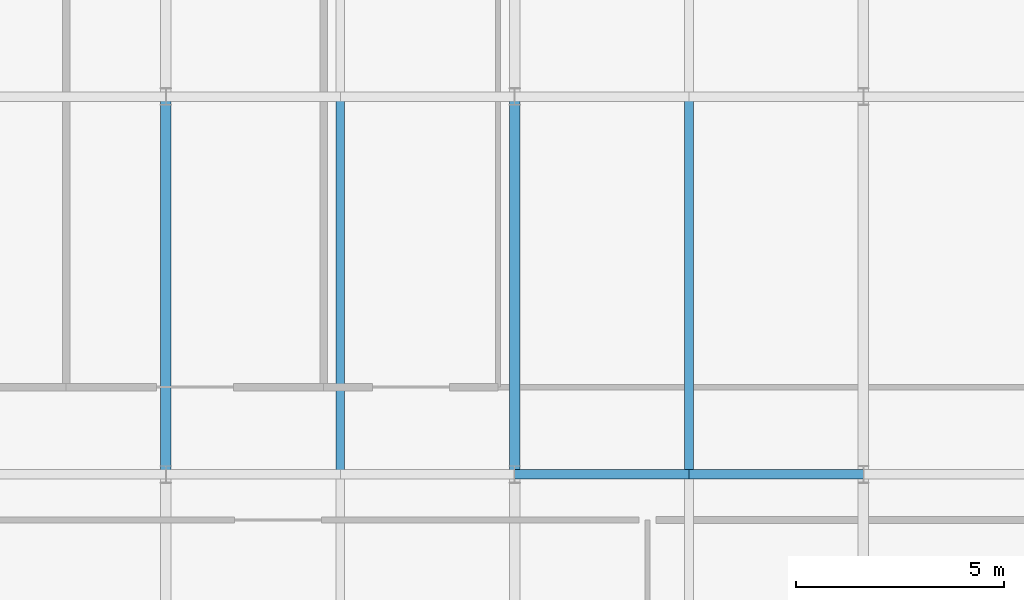
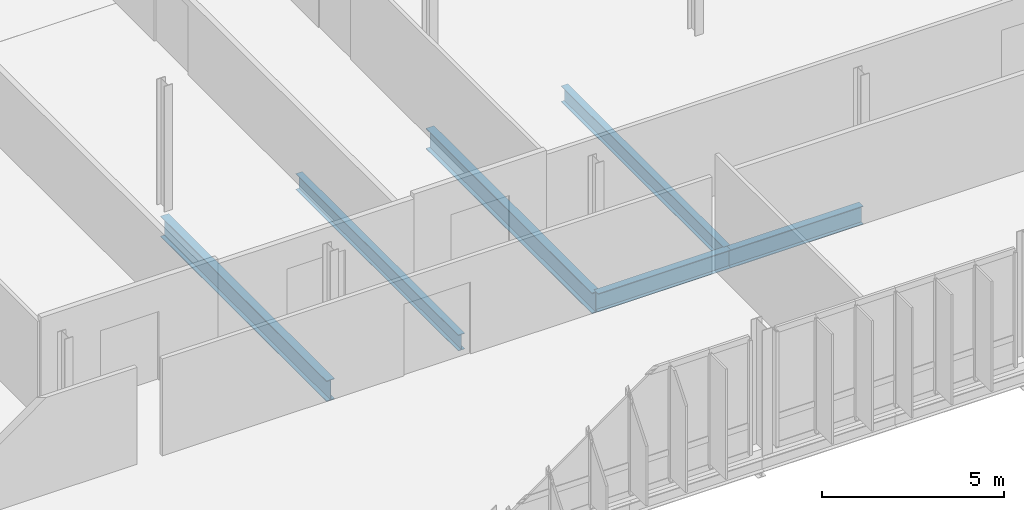
# One storey, part 36 of 107: 6 beams.
"""IFC4 building model written with IfcOpenShell, lengths in metres."""

from ifc_helpers import new_model, si_unit, derived_unit, direction, frame, origin, origin_2d, place, context, subcontext, project, spatial, i_section, extrude, material, material_profile, profile_set, type_object, element, save


model = new_model("IFC4")

# Units and contexts
model_context = context("Model", 3, precision=1e-05, world=origin(), true_north=direction((0.0, 1.0)))
body_context = subcontext(model_context, "Body", "Model", "MODEL_VIEW")
ifc_project = project(units=[si_unit("LENGTHUNIT", "METRE"), si_unit("AREAUNIT", "SQUARE_METRE"), si_unit("VOLUMEUNIT", "CUBIC_METRE"), si_unit("PLANEANGLEUNIT", "RADIAN"), si_unit("MASSUNIT", "GRAM", prefix="KILO"), derived_unit("THERMALTRANSMITTANCEUNIT", [(si_unit("MASSUNIT", "GRAM", prefix="KILO"), 1), (si_unit("TIMEUNIT", "SECOND"), -3), (si_unit("THERMODYNAMICTEMPERATUREUNIT", "KELVIN"), -1)])], contexts=[model_context])

# Site, building, storey
site_placement = place(None, origin())
site = spatial("IfcSite", under=ifc_project, at=site_placement, CompositionType="ELEMENT")
building_placement = place(site_placement, origin())
building = spatial("IfcBuilding", under=site, at=building_placement, Name="Makaiwela Harbour Ferry Terminal", CompositionType="ELEMENT")
storey_placement = place(building_placement, frame((0.0, 0.0, 9.60009765625)))
storey = spatial("IfcBuildingStorey", under=building, at=storey_placement, Name="L02", CompositionType="ELEMENT", Elevation=9.60009765625)

# Beams
ifc_material = material(Name="Steel ASTM A992 Grade 50", Category="steel")
ifc_material_profile_1 = material_profile(ifc_material, i_section(OverallWidth=0.2099609375, OverallDepth=0.537109375, WebThickness=0.010986328125, FlangeThickness=0.017333984375, at=origin_2d()), Name="W21X68")
ifc_profile_set_1 = profile_set([ifc_material_profile_1], Name="Steel ASTM A992 Grade 50")
beam_type_1 = type_object("IfcBeamType", Name="STR-BM-W21X68", PredefinedType="BEAM", material=ifc_profile_set_1)
for number, where, z_axis, x_axis, name in (
    (1, (100.800048828125, 58.596435546875, -0.528564453125), (0.0, 1.0, 0.0), (-1.0, 0.0, 0.0), "Secondary floor beam 1497"),
    (2, (109.199951171875, 58.596435546875, -0.528564453125), (0.0, 1.0, 0.0), (-1.0, 0.0, 0.0), "Secondary floor beam 1504"),
):
    element("IfcBeam", number, at=place(storey_placement, frame(where, z_axis=z_axis, x_axis=x_axis)), inside=storey, type_object=beam_type_1, Name=name, PredefinedType="BEAM", context=body_context, shape_type="SweptSolid", body=[
        extrude(i_section(OverallWidth=0.2099609375, OverallDepth=0.537109375, WebThickness=0.010986328125, FlangeThickness=0.017333984375, at=origin_2d()), origin(), (0.0, 0.0, 1.0), 8.906982421875),
    ])
ifc_material_profile_2 = material_profile(ifc_material, i_section(OverallWidth=0.22900390625, OverallDepth=0.612060546875, WebThickness=0.011962890625, FlangeThickness=0.01953125, at=origin_2d()), Name="W24X84")
ifc_profile_set_2 = profile_set([ifc_material_profile_2], Name="Steel ASTM A992 Grade 50")
beam_type_2 = type_object("IfcBeamType", Name="STR-GRD-W24X84", PredefinedType="USERDEFINED", material=ifc_profile_set_2)
for number, where, z_axis, x_axis, name in (
    (3, (105.0, 58.5, -0.566162109375), (1.0, 0.0, 0.0), (0.0, 1.0, 0.0), "Primary X girder 1299"),
    (4, (109.199951171875, 58.5, -0.566162109375), (1.0, 0.0, 0.0), (0.0, 1.0, 0.0), "Primary X girder 1300"),
):
    element("IfcBeam", number, at=place(storey_placement, frame(where, z_axis=z_axis, x_axis=x_axis)), inside=storey, type_object=beam_type_2, Name=name, ObjectType="GIRDER", PredefinedType="USERDEFINED", context=body_context, shape_type="SweptSolid", body=[
        extrude(i_section(OverallWidth=0.22900390625, OverallDepth=0.612060546875, WebThickness=0.011962890625, FlangeThickness=0.01953125, at=origin_2d()), origin(), (0.0, 0.0, 1.0), 4.199951171875),
    ])
ifc_material_profile_3 = material_profile(ifc_material, i_section(OverallWidth=0.256103515625, OverallDepth=0.693115234375, WebThickness=0.014404296875, FlangeThickness=0.023681640625, at=origin_2d()), Name="W27X114")
ifc_profile_set_3 = profile_set([ifc_material_profile_3], Name="Steel ASTM A992 Grade 50")
beam_type_3 = type_object("IfcBeamType", Name="STR-GRD-W27X114", PredefinedType="USERDEFINED", material=ifc_profile_set_3)
for number, where, z_axis, x_axis, name in (
    (5, (96.60009765625, 58.5, -0.606689453125), (0.0, 1.0, 0.0), (-1.0, 0.0, 0.0), "Primary Y girder 1392"),
    (6, (105.0, 58.5, -0.606689453125), (0.0, 1.0, 0.0), (-1.0, 0.0, 0.0), "Primary Y girder 1399"),
):
    element("IfcBeam", number, at=place(storey_placement, frame(where, z_axis=z_axis, x_axis=x_axis)), inside=storey, type_object=beam_type_3, Name=name, ObjectType="GIRDER", PredefinedType="USERDEFINED", context=body_context, shape_type="SweptSolid", body=[
        extrude(i_section(OverallWidth=0.256103515625, OverallDepth=0.693115234375, WebThickness=0.014404296875, FlangeThickness=0.023681640625, at=origin_2d()), origin(), (0.0, 0.0, 1.0), 9.10009765625),
    ])

save(model, "model.ifc")
